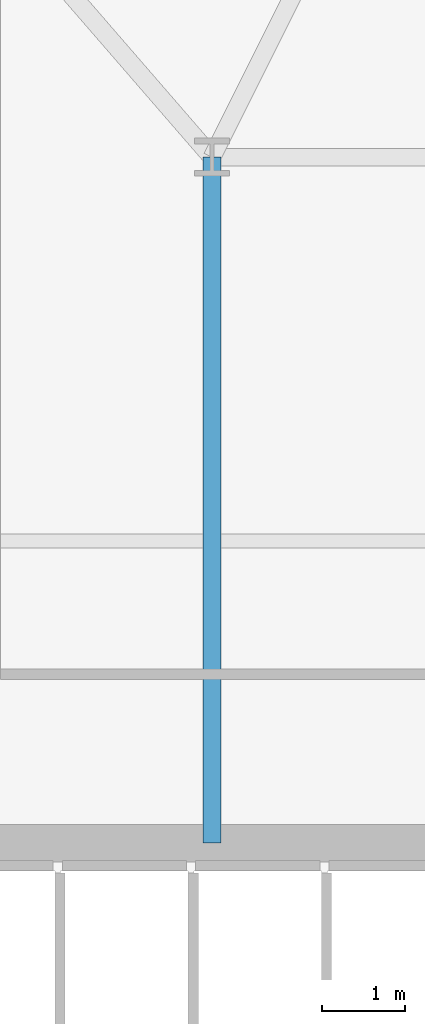
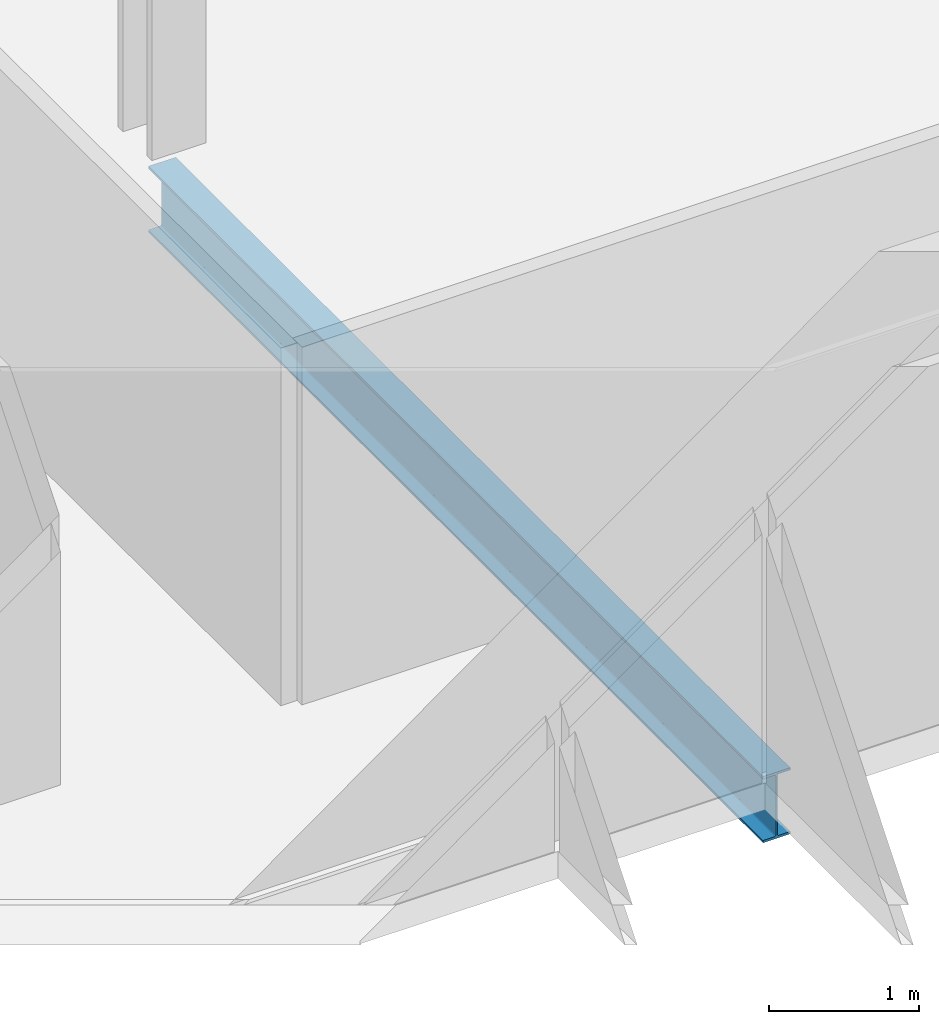
# One storey, part 6 of 33: 1 beam.
"""IFC4 building model written with IfcOpenShell, lengths in metres."""

from ifc_helpers import new_model, si_unit, direction, frame, origin, origin_2d, place, context, subcontext, project, spatial, i_section, extrude, material, material_profile, profile_set, type_object, element, save


model = new_model("IFC4")

# Units and contexts
model_context = context("Model", 3, precision=1e-05, world=origin(), true_north=direction((0.0, 1.0)))
body_context = subcontext(model_context, "Body", "Model", "MODEL_VIEW")
ifc_project = project(units=[si_unit("LENGTHUNIT", "METRE"), si_unit("AREAUNIT", "SQUARE_METRE"), si_unit("VOLUMEUNIT", "CUBIC_METRE"), si_unit("PLANEANGLEUNIT", "RADIAN"), si_unit("MASSUNIT", "GRAM", prefix="KILO")], contexts=[model_context])

# Site, building, storey
site_placement = place(None, origin())
site = spatial("IfcSite", under=ifc_project, at=site_placement, CompositionType="ELEMENT")
building_placement = place(site_placement, origin())
building = spatial("IfcBuilding", under=site, at=building_placement, Name="Ndaravel Arena Tower", CompositionType="ELEMENT")
storey_placement = place(building_placement, frame((0.0, 0.0, 85.39990234375)))
storey = spatial("IfcBuildingStorey", under=building, at=storey_placement, Name="L19", CompositionType="ELEMENT", Elevation=85.39990234375)

# Beam
ifc_material = material(Name="Steel S355", Category="steel")
ifc_material_profile = material_profile(ifc_material, i_section(OverallWidth=0.210693359375, OverallDepth=0.53955078125, WebThickness=0.01171875, FlangeThickness=0.018798828125, FilletRadius=0.0126953125, at=origin_2d()), Name="UB 533x210x109")
ifc_profile_set = profile_set([ifc_material_profile], Name="Steel S355")
beam_type = type_object("IfcBeamType", Name="BM-GIRD-UB533", PredefinedType="BEAM", material=ifc_profile_set)
beam_placement = place(storey_placement, frame((34.199951171875, 14.97998046875, -0.489501953125), z_axis=(0.0, 1.0, 0.0), x_axis=(-1.0, 0.0, 0.0)))
element("IfcBeam", 1, at=beam_placement, inside=storey, type_object=beam_type, Name="L19 Spine Link Girder SLG-01", PredefinedType="BEAM", context=body_context, shape_type="SweptSolid", body=[
    extrude(i_section(OverallWidth=0.210693359375, OverallDepth=0.53955078125, WebThickness=0.01171875, FlangeThickness=0.018798828125, FilletRadius=0.0126953125, at=origin_2d()), origin(), (0.0, 0.0, 1.0), 8.219970703125),
])

save(model, "model.ifc")
